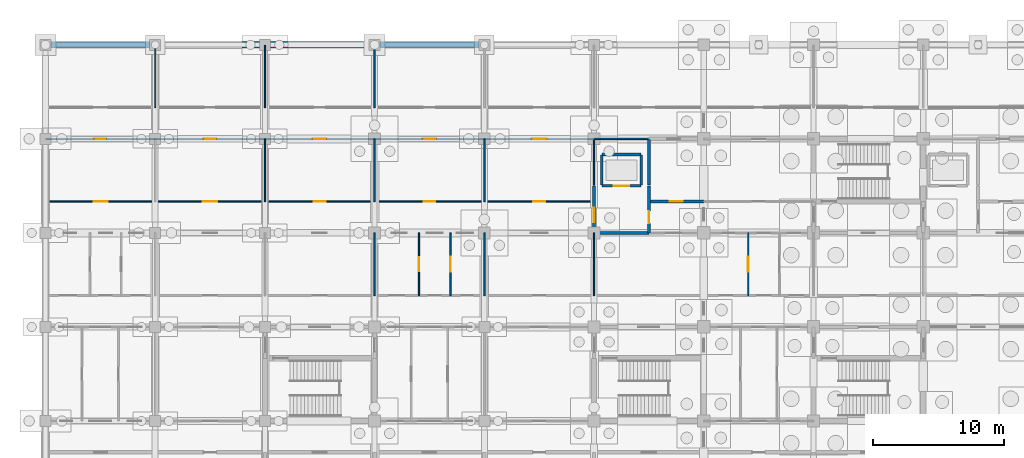
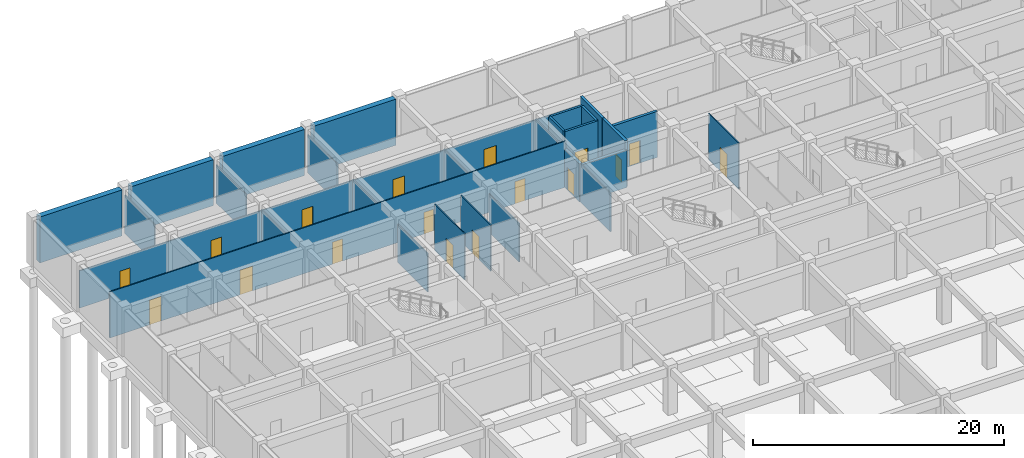
# One storey, part 35 of 85: 29 walls, 17 doors, 17 openings.
"""IFC4 building model written with IfcOpenShell, lengths in metres."""

import ifcopenshell
import ifcopenshell.guid

model = None  # the IFC model being written
_history = None  # IfcOwnerHistory: only IFC2X3 demands one
_inside = {}  # id of a spatial element -> (the spatial element, [elements in it])
_under = {}  # id of a project, library or spatial element -> (it, [spatial elements below it])
_declared = {}  # id of a project -> (the project, [libraries it declares])
_typed = {}  # id of a type object -> (the type object, [elements of that type])
_made_of = {}  # id of a material, layer set ... -> (it, [elements and type objects made of it])


def new_model(schema):
    """Start an empty IFC model of exactly this schema.

    Asked for "IFC4X3", IfcOpenShell would pick the latest addendum, in which some entities
    have other attributes; the version numbers below select the first issue.
    IFC2X3 requires an IfcOwnerHistory on every rooted entity: one is made here for all.
    """
    global model, _history
    if schema == "IFC4X3":
        model = ifcopenshell.file(schema_version=(4, 3, 0, 0))
    else:
        model = ifcopenshell.file(schema=schema)
    _inside.clear()
    _under.clear()
    _declared.clear()
    _typed.clear()
    _made_of.clear()
    _history = None
    if model.schema == "IFC2X3":
        org = make("IfcOrganization", Name="unknown")
        user = make(
            "IfcPersonAndOrganization",
            ThePerson=make("IfcPerson", FamilyName="unknown"),
            TheOrganization=org,
        )
        app = make(
            "IfcApplication",
            ApplicationDeveloper=org,
            Version="unknown",
            ApplicationFullName="unknown",
            ApplicationIdentifier="unknown",
        )
        _history = make(
            "IfcOwnerHistory",
            OwningUser=user,
            OwningApplication=app,
            ChangeAction="ADDED",
            CreationDate=0,
        )
    return model


def make(cls, **values):
    """One entity of the class cls with the attributes given. An attribute that is None is left unset."""
    return model.create_entity(
        cls, **{name: value for name, value in values.items() if value is not None}
    )


def rooted(cls, **values):
    """An entity with a GlobalId (a new one), such as an element, a storey or a relation."""
    return make(cls, GlobalId=ifcopenshell.guid.new(), OwnerHistory=_history, **values)


def si_unit(unit_type, name, prefix=None):
    """IfcSIUnit, for example si_unit("LENGTHUNIT", "METRE", prefix="MILLI")."""
    return make("IfcSIUnit", UnitType=unit_type, Prefix=prefix, Name=name)


def assignment(units):
    """IfcUnitAssignment: the units of a project."""
    return None if units is None else make("IfcUnitAssignment", Units=units)


def point(xyz):
    """IfcCartesianPoint."""
    return None if xyz is None else make("IfcCartesianPoint", Coordinates=xyz)


def direction(xyz):
    """IfcDirection."""
    return None if xyz is None else make("IfcDirection", DirectionRatios=xyz)


def frame(location, z_axis=None, x_axis=None):
    """IfcAxis2Placement3D, a coordinate frame: its origin and axes. An axis left out is left unset."""
    return make(
        "IfcAxis2Placement3D",
        Location=point(location),
        Axis=direction(z_axis),
        RefDirection=direction(x_axis),
    )


def frame_2d(location, x_axis=None):
    """IfcAxis2Placement2D, a coordinate frame in the plane: its origin and x axis."""
    return make(
        "IfcAxis2Placement2D", Location=point(location), RefDirection=direction(x_axis)
    )


def origin():
    """The frame at (0, 0, 0) with its axes left unset."""
    return frame((0.0, 0.0, 0.0))


def place(relative_to, where):
    """IfcLocalPlacement: puts the frame where relative to a parent placement (None: the world)."""
    return make(
        "IfcLocalPlacement", PlacementRelTo=relative_to, RelativePlacement=where
    )


def context(
    kind, dimensions, precision=None, world=None, true_north=None, identifier=None
):
    """IfcGeometricRepresentationContext, for example the 3D "Model" context."""
    return make(
        "IfcGeometricRepresentationContext",
        ContextIdentifier=identifier,
        ContextType=kind,
        CoordinateSpaceDimension=dimensions,
        Precision=precision,
        WorldCoordinateSystem=world,
        TrueNorth=true_north,
    )


def subcontext(parent, identifier, kind, view, scale=None):
    """IfcGeometricRepresentationSubContext, for example "Body" below "Model"."""
    return make(
        "IfcGeometricRepresentationSubContext",
        ContextIdentifier=identifier,
        ContextType=kind,
        ParentContext=parent,
        TargetScale=scale,
        TargetView=view,
    )


def project(units=None, contexts=None):
    """IfcProject with its units and contexts."""
    return rooted(
        "IfcProject",
        Name="project",
        RepresentationContexts=contexts,
        UnitsInContext=assignment(units),
    )


def spatial(cls, under=None, at=None, **own):
    """A site, building, storey or space (cls), placed at a placement, below another one or the project."""
    s = rooted(cls, ObjectPlacement=at, **own)
    if under is not None:
        _under.setdefault(under.id(), (under, []))[1].append(s)
    return s


def profile(cls, at=None, kind="AREA", **sizes):
    """A parametric profile (cls). Its sizes go by their IFC names, for example OverallWidth=200.0."""
    return make(cls, ProfileType=kind, Position=at, **sizes)


def rectangle(**sizes):
    """IfcRectangleProfileDef."""
    return profile("IfcRectangleProfileDef", **sizes)


def extrude(swept, where, along, depth):
    """IfcExtrudedAreaSolid: the profile swept, set in the frame where, extruded along a direction by depth."""
    return make(
        "IfcExtrudedAreaSolid",
        SweptArea=swept,
        Position=where,
        ExtrudedDirection=direction(along),
        Depth=depth,
    )


def shape(context_of_items, identifier, shape_type, items):
    """IfcShapeRepresentation: the items that make up one representation, for example the "Body"."""
    return make(
        "IfcShapeRepresentation",
        ContextOfItems=context_of_items,
        RepresentationIdentifier=identifier,
        RepresentationType=shape_type,
        Items=items,
    )


def material(Name=None, Category=None):
    """IfcMaterial."""
    return make("IfcMaterial", Name=Name, Category=Category)


def layer(
    of_material, thickness, ventilated=None, Name=None, Category=None, Priority=None
):
    """IfcMaterialLayer: one layer of a wall or slab, of a material (None: an air gap)."""
    return make(
        "IfcMaterialLayer",
        Material=of_material,
        LayerThickness=thickness,
        IsVentilated=ventilated,
        Name=Name,
        Category=Category,
        Priority=Priority,
    )


def layer_set(layers, Name=None):
    """IfcMaterialLayerSet."""
    return make("IfcMaterialLayerSet", MaterialLayers=layers, LayerSetName=Name)


def made_of(thing, what):
    """Note that an element or type object is made of a material, layer set ...; save() writes the relation."""
    if what is not None:
        _made_of.setdefault(what.id(), (what, []))[1].append(thing)
    return thing


def type_object(cls, material=None, **own):
    """A type object (cls), such as IfcWallType, which elements share."""
    return made_of(rooted(cls, **own), material)


def element(
    cls,
    number,
    at=None,
    inside=None,
    cuts=None,
    type_object=None,
    material=None,
    context=None,
    identifier="Body",
    shape_type=None,
    held_by="IfcProductDefinitionShape",
    body=None,
    shapes=None,
    **own,
):
    """One element of the class cls, such as IfcWall. Its Tag is "e" and its number.

    at: its placement. inside: the storey or other place that contains it. cuts: it is an
    opening in that element (IfcRelVoidsElement). A single representation is given by context,
    identifier, shape_type and body (its items); several are given by shapes. held_by: the class
    of the entity that holds the representations. save() writes the other relations.
    """
    e = rooted(cls, Tag="e%d" % number, ObjectPlacement=at, **own)
    if body is not None:
        shapes = [shape(context, identifier, shape_type, body)]
    if shapes is not None:
        e.Representation = make(held_by, Representations=shapes)
    if inside is not None:
        _inside.setdefault(inside.id(), (inside, []))[1].append(e)
    if cuts is not None:
        rooted(
            "IfcRelVoidsElement", RelatingBuildingElement=cuts, RelatedOpeningElement=e
        )
    if type_object is not None:
        _typed.setdefault(type_object.id(), (type_object, []))[1].append(e)
    return made_of(e, material)


def fill(opening, filler):
    """IfcRelFillsElement: the door or window that sits in an opening."""
    return rooted(
        "IfcRelFillsElement",
        RelatingOpeningElement=opening,
        RelatedBuildingElement=filler,
    )


def aggregate(whole, parts):
    """IfcRelAggregates: a whole, such as a stair, and the parts it consists of."""
    return rooted("IfcRelAggregates", RelatingObject=whole, RelatedObjects=parts)


def save(model, path):
    """Write the relations noted so far, then the file.

    IfcRelAggregates (storeys below a building ...), IfcRelContainedInSpatialStructure (elements
    in a storey), IfcRelDefinesByType, IfcRelAssociatesMaterial and IfcRelDeclares: one each for
    every whole, place, type object, material and project.
    """
    for whole, parts in _under.values():
        aggregate(whole, parts)
    for where, things in _inside.values():
        rooted(
            "IfcRelContainedInSpatialStructure",
            RelatedElements=things,
            RelatingStructure=where,
        )
    for kind, things in _typed.values():
        rooted("IfcRelDefinesByType", RelatedObjects=things, RelatingType=kind)
    for what, things in _made_of.values():
        rooted("IfcRelAssociatesMaterial", RelatedObjects=things, RelatingMaterial=what)
    for by, libraries in _declared.values():
        rooted("IfcRelDeclares", RelatingContext=by, RelatedDefinitions=libraries)
    model.write(path)


model = new_model("IFC4")

# Units and contexts
model_context = context("Model", 3, precision=1e-05, world=origin(), true_north=direction((0.0, 1.0)))
body_context = subcontext(model_context, "Body", "Model", "MODEL_VIEW")
ifc_project = project(units=[si_unit("LENGTHUNIT", "METRE"), si_unit("AREAUNIT", "SQUARE_METRE"), si_unit("VOLUMEUNIT", "CUBIC_METRE"), si_unit("PLANEANGLEUNIT", "RADIAN"), si_unit("MASSUNIT", "GRAM", prefix="KILO")], contexts=[model_context])

# Site, building, storey
site_placement = place(None, origin())
site = spatial("IfcSite", under=ifc_project, at=site_placement, CompositionType="ELEMENT")
building_placement = place(site_placement, origin())
building = spatial("IfcBuilding", under=site, at=building_placement, Name="Chengyuan Square Courthouse", CompositionType="ELEMENT")
storey_placement = place(building_placement, frame((0.0, 0.0, -10.199951171875)))
storey = spatial("IfcBuildingStorey", under=building, at=storey_placement, Name="B02", CompositionType="ELEMENT", Elevation=-10.199951171875)

# Wall
ifc_material_1 = material(Name="Concrete C40", Category="concrete")
ifc_layer_1 = layer(ifc_material_1, 0.25)
ifc_layer_set_1 = layer_set([ifc_layer_1], Name="Concrete C40")
wall_type_1 = type_object("IfcWallType", Name="WL-FW1", PredefinedType="STANDARD", material=ifc_layer_set_1)
wall_1_placement = place(storey_placement, frame((42.0, 100.800048828125, 0.0), z_axis=(0.0, 0.0, 1.0), x_axis=(1.0, 0.0, 0.0)))
element("IfcWall", 1, at=wall_1_placement, inside=storey, type_object=wall_type_1, Name="Interior Wall WL-B02-I065", PredefinedType="STANDARD", context=body_context, shape_type="SweptSolid", body=[
    extrude(rectangle(XDim=4.199951171875, YDim=0.25, at=frame_2d((2.10009765625, 0.0))), origin(), (0.0, 0.0, 1.0), 3.6298828125),
])

# Wall, opening, door
wall_2_placement = place(storey_placement, frame((46.199951171875, 103.199951171875, 0.0), z_axis=(0.0, 0.0, 1.0), x_axis=(1.0, 0.0, 0.0)))
wall_2 = element("IfcWall", 2, at=wall_2_placement, inside=storey, type_object=wall_type_1, Name="Interior Wall WL-B02-I075", PredefinedType="STANDARD", context=body_context, shape_type="SweptSolid", body=[
    extrude(rectangle(XDim=4.199951171875, YDim=0.25, at=frame_2d((2.10009765625, 0.0))), origin(), (0.0, 0.0, 1.0), 4.47998046875),
])
opening_1_placement = place(wall_2_placement, frame((1.60009765625, 0.0, 0.0)))
opening_1 = element("IfcOpeningElement", 3, at=opening_1_placement, cuts=wall_2, Name="Opening DR-074", PredefinedType="OPENING", context=body_context, shape_type="SweptSolid", body=[
    extrude(rectangle(XDim=1.0, YDim=2.199951171875, at=frame_2d((0.5, 1.10009765625))), frame((0.0, 0.136962890625, 0.0), z_axis=(0.0, -1.0, 0.0), x_axis=(1.0, 0.0, 0.0)), (0.0, 0.0, 1.0), 0.27392578125),
])
ifc_material_2 = material(Name="Steel Q235B Fire Door", Category="steel")
door_type_1 = type_object("IfcDoorType", Name="DT-11", OperationType="NOTDEFINED", PredefinedType="DOOR", material=ifc_material_2)
door_1_placement = place(opening_1_placement, origin())
door_1 = element("IfcDoor", 4, at=door_1_placement, inside=storey, type_object=door_type_1, Name="Interior Door DR-074", OperationType="SINGLE_SWING_RIGHT", OverallHeight=2.199951171875, OverallWidth=1.0, PredefinedType="DOOR", context=body_context, shape_type="SweptSolid", body=[
    extrude(rectangle(XDim=1.0, YDim=2.199951171875, at=frame_2d((0.5, 1.10009765625))), frame((0.0, 0.02490234375, 0.0), z_axis=(0.0, -1.0, 0.0), x_axis=(1.0, 0.0, 0.0)), (0.0, 0.0, 1.0), 0.050048828125),
])
fill(opening_1, door_1)

wall_3_placement = place(storey_placement, frame((42.0, 100.800048828125, 0.0), z_axis=(0.0, 0.0, 1.0), x_axis=(0.0, 1.0, 0.0)))
wall_3 = element("IfcWall", 5, at=wall_3_placement, inside=storey, type_object=wall_type_1, Name="Interior Wall WL-B02-I150", PredefinedType="STANDARD", context=body_context, shape_type="SweptSolid", body=[
    extrude(rectangle(XDim=3.599853515625, YDim=0.25, at=frame_2d((1.7998046875, 0.0))), origin(), (0.0, 0.0, 1.0), 3.72998046875),
])
opening_2_placement = place(wall_3_placement, frame((0.8349609375, 0.0, 0.0)))
opening_2 = element("IfcOpeningElement", 6, at=opening_2_placement, cuts=wall_3, Name="Opening DR-073", PredefinedType="OPENING", context=body_context, shape_type="SweptSolid", body=[
    extrude(rectangle(XDim=1.10009765625, YDim=2.199951171875, at=frame_2d((0.550048828125, 1.10009765625))), frame((0.0, 0.136962890625, 0.0), z_axis=(0.0, -1.0, 0.0), x_axis=(1.0, 0.0, 0.0)), (0.0, 0.0, 1.0), 0.27392578125),
])
door_type_2 = type_object("IfcDoorType", Name="DT-10", OperationType="NOTDEFINED", PredefinedType="DOOR", material=ifc_material_2)
door_2_placement = place(opening_2_placement, origin())
door_2 = element("IfcDoor", 7, at=door_2_placement, inside=storey, type_object=door_type_2, Name="Interior Door DR-073", OperationType="SINGLE_SWING_LEFT", OverallHeight=2.199951171875, OverallWidth=1.10009765625, PredefinedType="DOOR", context=body_context, shape_type="SweptSolid", body=[
    extrude(rectangle(XDim=1.10009765625, YDim=2.199951171875, at=frame_2d((0.550048828125, 1.10009765625))), frame((0.0, 0.02490234375, 0.0), z_axis=(0.0, -1.0, 0.0), x_axis=(1.0, 0.0, 0.0)), (0.0, 0.0, 1.0), 0.050048828125),
])
fill(opening_2, door_2)

wall_4_placement = place(storey_placement, frame((46.199951171875, 100.800048828125, 0.0), z_axis=(0.0, 0.0, 1.0), x_axis=(0.0, 1.0, 0.0)))
wall_4 = element("IfcWall", 8, at=wall_4_placement, inside=storey, type_object=wall_type_1, Name="Interior Wall WL-B02-I155", PredefinedType="STANDARD", context=body_context, shape_type="SweptSolid", body=[
    extrude(rectangle(XDim=3.599853515625, YDim=0.25, at=frame_2d((1.7998046875, 0.0))), origin(), (0.0, 0.0, 1.0), 4.47998046875),
])
opening_3_placement = place(wall_4_placement, frame((0.72509765625, 0.0, 0.0)))
opening_3 = element("IfcOpeningElement", 9, at=opening_3_placement, cuts=wall_4, Name="Opening DR-072", PredefinedType="OPENING", context=body_context, shape_type="SweptSolid", body=[
    extrude(rectangle(XDim=0.949951171875, YDim=2.14990234375, at=frame_2d((0.47509765625, 1.074951171875))), frame((0.0, 0.136962890625, 0.0), z_axis=(0.0, -1.0, 0.0), x_axis=(1.0, 0.0, 0.0)), (0.0, 0.0, 1.0), 0.27392578125),
])
door_type_3 = type_object("IfcDoorType", Name="DT-12", OperationType="NOTDEFINED", PredefinedType="DOOR", material=ifc_material_2)
door_3_placement = place(opening_3_placement, origin())
door_3 = element("IfcDoor", 10, at=door_3_placement, inside=storey, type_object=door_type_3, Name="Interior Door DR-072", OperationType="SINGLE_SWING_RIGHT", OverallHeight=2.14990234375, OverallWidth=0.949951171875, PredefinedType="DOOR", context=body_context, shape_type="SweptSolid", body=[
    extrude(rectangle(XDim=0.949951171875, YDim=2.14990234375, at=frame_2d((0.47509765625, 1.074951171875))), frame((0.0, 0.02490234375, 0.0), z_axis=(0.0, -1.0, 0.0), x_axis=(1.0, 0.0, 0.0)), (0.0, 0.0, 1.0), 0.050048828125),
])
fill(opening_3, door_3)

# Wall
wall_5_placement = place(storey_placement, frame((46.199951171875, 104.449951171875, 0.0), z_axis=(0.0, 0.0, 1.0), x_axis=(0.0, 1.0, 0.0)))
element("IfcWall", 11, at=wall_5_placement, inside=storey, type_object=wall_type_1, Name="Interior Wall WL-B02-I156", PredefinedType="STANDARD", context=body_context, shape_type="SweptSolid", body=[
    extrude(rectangle(XDim=3.5, YDim=0.25, at=frame_2d((1.75, 0.0))), origin(), (0.0, 0.0, 1.0), 4.47998046875),
])

# Wall, openings, doors
ifc_material_3 = material(Name="Gypsum Plasterboard Acoustic Stud Partition")
ifc_layer_2 = layer(ifc_material_3, 0.10009765625)
ifc_layer_set_2 = layer_set([ifc_layer_2], Name="Gypsum Plasterboard Acoustic Stud Partition")
wall_type_2 = type_object("IfcWallType", Name="WL-PT6", PredefinedType="STANDARD", material=ifc_layer_set_2)
wall_6_placement = place(storey_placement, frame((0.0400390625, 103.199951171875, 0.0), z_axis=(0.0, 0.0, 1.0), x_axis=(1.0, 0.0, 0.0)))
wall_6 = element("IfcWall", 12, at=wall_6_placement, inside=storey, type_object=wall_type_2, Name="Interior Wall WL-B02-I074", PredefinedType="STANDARD", context=body_context, shape_type="SweptSolid", body=[
    extrude(rectangle(XDim=41.9599609375, YDim=0.10009765625, at=frame_2d((20.97998046875, 0.0))), origin(), (0.0, 0.0, 1.0), 4.47998046875),
])
opening_4_placement = place(wall_6_placement, frame((3.64990234375, 0.0, 0.0)))
opening_4 = element("IfcOpeningElement", 13, at=opening_4_placement, cuts=wall_6, Name="Opening DR-084", PredefinedType="OPENING", context=body_context, shape_type="SweptSolid", body=[
    extrude(rectangle(XDim=1.06005859375, YDim=2.39990234375, at=frame_2d((0.530029296875, 1.199951171875))), frame((0.0, 0.06201171875, 0.0), z_axis=(0.0, -1.0, 0.0), x_axis=(1.0, 0.0, 0.0)), (0.0, 0.0, 1.0), 0.1240234375),
])
opening_5_placement = place(wall_6_placement, frame((11.989990234375, 0.0, 0.0)))
opening_5 = element("IfcOpeningElement", 14, at=opening_5_placement, cuts=wall_6, Name="Opening DR-085", PredefinedType="OPENING", context=body_context, shape_type="SweptSolid", body=[
    extrude(rectangle(XDim=1.139892578125, YDim=2.39990234375, at=frame_2d((0.56982421875, 1.199951171875))), frame((0.0, 0.06201171875, 0.0), z_axis=(0.0, -1.0, 0.0), x_axis=(1.0, 0.0, 0.0)), (0.0, 0.0, 1.0), 0.1240234375),
])
opening_6_placement = place(wall_6_placement, frame((20.510009765625, 0.0, 0.0)))
opening_6 = element("IfcOpeningElement", 15, at=opening_6_placement, cuts=wall_6, Name="Opening DR-086", PredefinedType="OPENING", context=body_context, shape_type="SweptSolid", body=[
    extrude(rectangle(XDim=0.89990234375, YDim=2.14990234375, at=frame_2d((0.449951171875, 1.074951171875))), frame((0.0, 0.06201171875, 0.0), z_axis=(0.0, -1.0, 0.0), x_axis=(1.0, 0.0, 0.0)), (0.0, 0.0, 1.0), 0.1240234375),
])
opening_7_placement = place(wall_6_placement, frame((28.929931640625, 0.0, 0.0)))
opening_7 = element("IfcOpeningElement", 16, at=opening_7_placement, cuts=wall_6, Name="Opening DR-087", PredefinedType="OPENING", context=body_context, shape_type="SweptSolid", body=[
    extrude(rectangle(XDim=0.860107421875, YDim=2.10009765625, at=frame_2d((0.43017578125, 1.050048828125))), frame((0.0, 0.06201171875, 0.0), z_axis=(0.0, -1.0, 0.0), x_axis=(1.0, 0.0, 0.0)), (0.0, 0.0, 1.0), 0.1240234375),
])
opening_8_placement = place(wall_6_placement, frame((37.300048828125, 0.0, 0.0)))
opening_8 = element("IfcOpeningElement", 17, at=opening_8_placement, cuts=wall_6, Name="Opening DR-088", PredefinedType="OPENING", context=body_context, shape_type="SweptSolid", body=[
    extrude(rectangle(XDim=0.919921875, YDim=2.14990234375, at=frame_2d((0.4599609375, 1.074951171875))), frame((0.0, 0.06201171875, 0.0), z_axis=(0.0, -1.0, 0.0), x_axis=(1.0, 0.0, 0.0)), (0.0, 0.0, 1.0), 0.1240234375),
])
ifc_material_4 = material(Name="Acoustic Solid-Core Timber Door", Category="wood")
door_type_4 = type_object("IfcDoorType", Name="DT-27", OperationType="NOTDEFINED", PredefinedType="DOOR", material=ifc_material_4)
door_4_placement = place(opening_6_placement, origin())
door_4 = element("IfcDoor", 18, at=door_4_placement, inside=storey, type_object=door_type_4, Name="Interior Door DR-086", OperationType="SINGLE_SWING_RIGHT", OverallHeight=2.14990234375, OverallWidth=0.89990234375, PredefinedType="DOOR", context=body_context, shape_type="SweptSolid", body=[
    extrude(rectangle(XDim=0.89990234375, YDim=2.14990234375, at=frame_2d((0.449951171875, 1.074951171875))), frame((0.0, 0.02490234375, 0.0), z_axis=(0.0, -1.0, 0.0), x_axis=(1.0, 0.0, 0.0)), (0.0, 0.0, 1.0), 0.050048828125),
])
fill(opening_6, door_4)
door_type_5 = type_object("IfcDoorType", Name="DT-28", OperationType="NOTDEFINED", PredefinedType="DOOR", material=ifc_material_4)
door_5_placement = place(opening_7_placement, origin())
door_5 = element("IfcDoor", 19, at=door_5_placement, inside=storey, type_object=door_type_5, Name="Interior Door DR-087", OperationType="SINGLE_SWING_LEFT", OverallHeight=2.10009765625, OverallWidth=0.860107421875, PredefinedType="DOOR", context=body_context, shape_type="SweptSolid", body=[
    extrude(rectangle(XDim=0.860107421875, YDim=2.10009765625, at=frame_2d((0.43017578125, 1.050048828125))), frame((0.0, 0.02490234375, 0.0), z_axis=(0.0, -1.0, 0.0), x_axis=(1.0, 0.0, 0.0)), (0.0, 0.0, 1.0), 0.050048828125),
])
fill(opening_7, door_5)
door_type_6 = type_object("IfcDoorType", Name="DT-29", OperationType="NOTDEFINED", PredefinedType="DOOR", material=ifc_material_4)
door_6_placement = place(opening_8_placement, origin())
door_6 = element("IfcDoor", 20, at=door_6_placement, inside=storey, type_object=door_type_6, Name="Interior Door DR-088", OperationType="SINGLE_SWING_RIGHT", OverallHeight=2.14990234375, OverallWidth=0.919921875, PredefinedType="DOOR", context=body_context, shape_type="SweptSolid", body=[
    extrude(rectangle(XDim=0.919921875, YDim=2.14990234375, at=frame_2d((0.4599609375, 1.074951171875))), frame((0.0, 0.02490234375, 0.0), z_axis=(0.0, -1.0, 0.0), x_axis=(1.0, 0.0, 0.0)), (0.0, 0.0, 1.0), 0.050048828125),
])
fill(opening_8, door_6)
door_type_7 = type_object("IfcDoorType", Name="DT-42", OperationType="NOTDEFINED", PredefinedType="DOOR", material=ifc_material_4)
door_7_placement = place(opening_4_placement, origin())
door_7 = element("IfcDoor", 21, at=door_7_placement, inside=storey, type_object=door_type_7, Name="Interior Door DR-084", OperationType="SINGLE_SWING_RIGHT", OverallHeight=2.39990234375, OverallWidth=1.06005859375, PredefinedType="DOOR", context=body_context, shape_type="SweptSolid", body=[
    extrude(rectangle(XDim=1.06005859375, YDim=2.39990234375, at=frame_2d((0.530029296875, 1.199951171875))), frame((0.0, 0.02490234375, 0.0), z_axis=(0.0, -1.0, 0.0), x_axis=(1.0, 0.0, 0.0)), (0.0, 0.0, 1.0), 0.050048828125),
])
fill(opening_4, door_7)
door_type_8 = type_object("IfcDoorType", Name="DT-43", OperationType="NOTDEFINED", PredefinedType="DOOR", material=ifc_material_4)
door_8_placement = place(opening_5_placement, origin())
door_8 = element("IfcDoor", 22, at=door_8_placement, inside=storey, type_object=door_type_8, Name="Interior Door DR-085", OperationType="SINGLE_SWING_LEFT", OverallHeight=2.39990234375, OverallWidth=1.139892578125, PredefinedType="DOOR", context=body_context, shape_type="SweptSolid", body=[
    extrude(rectangle(XDim=1.139892578125, YDim=2.39990234375, at=frame_2d((0.56982421875, 1.199951171875))), frame((0.0, 0.02490234375, 0.0), z_axis=(0.0, -1.0, 0.0), x_axis=(1.0, 0.0, 0.0)), (0.0, 0.0, 1.0), 0.050048828125),
])
fill(opening_5, door_8)

wall_7_placement = place(storey_placement, frame((0.0400390625, 108.0, 0.0), z_axis=(0.0, 0.0, 1.0), x_axis=(1.0, 0.0, 0.0)))
wall_7 = element("IfcWall", 23, at=wall_7_placement, inside=storey, type_object=wall_type_2, Name="Interior Wall WL-B02-I094", PredefinedType="STANDARD", context=body_context, shape_type="SweptSolid", body=[
    extrude(rectangle(XDim=41.9599609375, YDim=0.10009765625, at=frame_2d((20.97998046875, 0.0))), origin(), (0.0, 0.0, 1.0), 3.6298828125),
])
opening_9_placement = place(wall_7_placement, frame((3.68994140625, 0.0, 0.0)))
opening_9 = element("IfcOpeningElement", 24, at=opening_9_placement, cuts=wall_7, Name="Opening DR-098", PredefinedType="OPENING", context=body_context, shape_type="SweptSolid", body=[
    extrude(rectangle(XDim=0.93994140625, YDim=2.300048828125, at=frame_2d((0.469970703125, 1.14990234375))), frame((0.0, 0.06201171875, 0.0), z_axis=(0.0, -1.0, 0.0), x_axis=(1.0, 0.0, 0.0)), (0.0, 0.0, 1.0), 0.1240234375),
])
opening_10_placement = place(wall_7_placement, frame((12.070068359375, 0.0, 0.0)))
opening_10 = element("IfcOpeningElement", 25, at=opening_10_placement, cuts=wall_7, Name="Opening DR-099", PredefinedType="OPENING", context=body_context, shape_type="SweptSolid", body=[
    extrude(rectangle(XDim=0.97998046875, YDim=2.35009765625, at=frame_2d((0.489990234375, 1.175048828125))), frame((0.0, 0.06201171875, 0.0), z_axis=(0.0, -1.0, 0.0), x_axis=(1.0, 0.0, 0.0)), (0.0, 0.0, 1.0), 0.1240234375),
])
opening_11_placement = place(wall_7_placement, frame((20.4375, 0.0, 0.0)))
opening_11 = element("IfcOpeningElement", 26, at=opening_11_placement, cuts=wall_7, Name="Opening DR-100", PredefinedType="OPENING", context=body_context, shape_type="SweptSolid", body=[
    extrude(rectangle(XDim=1.02001953125, YDim=2.39990234375, at=frame_2d((0.510009765625, 1.199951171875))), frame((0.0, 0.06201171875, 0.0), z_axis=(0.0, -1.0, 0.0), x_axis=(1.0, 0.0, 0.0)), (0.0, 0.0, 1.0), 0.1240234375),
])
opening_12_placement = place(wall_7_placement, frame((28.830078125, 0.0, 0.0)))
opening_12 = element("IfcOpeningElement", 27, at=opening_12_placement, cuts=wall_7, Name="Opening DR-101", PredefinedType="OPENING", context=body_context, shape_type="SweptSolid", body=[
    extrude(rectangle(XDim=1.06005859375, YDim=2.39990234375, at=frame_2d((0.530029296875, 1.199951171875))), frame((0.0, 0.06201171875, 0.0), z_axis=(0.0, -1.0, 0.0), x_axis=(1.0, 0.0, 0.0)), (0.0, 0.0, 1.0), 0.1240234375),
])
opening_13_placement = place(wall_7_placement, frame((37.18994140625, 0.0, 0.0)))
opening_13 = element("IfcOpeningElement", 28, at=opening_13_placement, cuts=wall_7, Name="Opening DR-102", PredefinedType="OPENING", context=body_context, shape_type="SweptSolid", body=[
    extrude(rectangle(XDim=1.139892578125, YDim=2.39990234375, at=frame_2d((0.56982421875, 1.199951171875))), frame((0.0, 0.06201171875, 0.0), z_axis=(0.0, -1.0, 0.0), x_axis=(1.0, 0.0, 0.0)), (0.0, 0.0, 1.0), 0.1240234375),
])
door_type_9 = type_object("IfcDoorType", Name="DT-39", OperationType="NOTDEFINED", PredefinedType="DOOR", material=ifc_material_4)
door_9_placement = place(opening_9_placement, origin())
door_9 = element("IfcDoor", 29, at=door_9_placement, inside=storey, type_object=door_type_9, Name="Interior Door DR-098", OperationType="SINGLE_SWING_RIGHT", OverallHeight=2.300048828125, OverallWidth=0.93994140625, PredefinedType="DOOR", context=body_context, shape_type="SweptSolid", body=[
    extrude(rectangle(XDim=0.93994140625, YDim=2.300048828125, at=frame_2d((0.469970703125, 1.14990234375))), frame((0.0, 0.02490234375, 0.0), z_axis=(0.0, -1.0, 0.0), x_axis=(1.0, 0.0, 0.0)), (0.0, 0.0, 1.0), 0.050048828125),
])
fill(opening_9, door_9)
door_type_10 = type_object("IfcDoorType", Name="DT-40", OperationType="NOTDEFINED", PredefinedType="DOOR", material=ifc_material_4)
door_10_placement = place(opening_10_placement, origin())
door_10 = element("IfcDoor", 30, at=door_10_placement, inside=storey, type_object=door_type_10, Name="Interior Door DR-099", OperationType="SINGLE_SWING_LEFT", OverallHeight=2.35009765625, OverallWidth=0.97998046875, PredefinedType="DOOR", context=body_context, shape_type="SweptSolid", body=[
    extrude(rectangle(XDim=0.97998046875, YDim=2.35009765625, at=frame_2d((0.489990234375, 1.175048828125))), frame((0.0, 0.02490234375, 0.0), z_axis=(0.0, -1.0, 0.0), x_axis=(1.0, 0.0, 0.0)), (0.0, 0.0, 1.0), 0.050048828125),
])
fill(opening_10, door_10)
door_type_11 = type_object("IfcDoorType", Name="DT-41", OperationType="NOTDEFINED", PredefinedType="DOOR", material=ifc_material_4)
door_11_placement = place(opening_11_placement, origin())
door_11 = element("IfcDoor", 31, at=door_11_placement, inside=storey, type_object=door_type_11, Name="Interior Door DR-100", OperationType="SINGLE_SWING_RIGHT", OverallHeight=2.39990234375, OverallWidth=1.02001953125, PredefinedType="DOOR", context=body_context, shape_type="SweptSolid", body=[
    extrude(rectangle(XDim=1.02001953125, YDim=2.39990234375, at=frame_2d((0.510009765625, 1.199951171875))), frame((0.0, 0.02490234375, 0.0), z_axis=(0.0, -1.0, 0.0), x_axis=(1.0, 0.0, 0.0)), (0.0, 0.0, 1.0), 0.050048828125),
])
fill(opening_11, door_11)
door_12_placement = place(opening_12_placement, origin())
door_12 = element("IfcDoor", 32, at=door_12_placement, inside=storey, type_object=door_type_7, Name="Interior Door DR-101", OperationType="SINGLE_SWING_LEFT", OverallHeight=2.39990234375, OverallWidth=1.06005859375, PredefinedType="DOOR", context=body_context, shape_type="SweptSolid", body=[
    extrude(rectangle(XDim=1.06005859375, YDim=2.39990234375, at=frame_2d((0.530029296875, 1.199951171875))), frame((0.0, 0.02490234375, 0.0), z_axis=(0.0, -1.0, 0.0), x_axis=(1.0, 0.0, 0.0)), (0.0, 0.0, 1.0), 0.050048828125),
])
fill(opening_12, door_12)
door_13_placement = place(opening_13_placement, origin())
door_13 = element("IfcDoor", 33, at=door_13_placement, inside=storey, type_object=door_type_8, Name="Interior Door DR-102", OperationType="SINGLE_SWING_RIGHT", OverallHeight=2.39990234375, OverallWidth=1.139892578125, PredefinedType="DOOR", context=body_context, shape_type="SweptSolid", body=[
    extrude(rectangle(XDim=1.139892578125, YDim=2.39990234375, at=frame_2d((0.56982421875, 1.199951171875))), frame((0.0, 0.02490234375, 0.0), z_axis=(0.0, -1.0, 0.0), x_axis=(1.0, 0.0, 0.0)), (0.0, 0.0, 1.0), 0.050048828125),
])
fill(opening_13, door_13)

# Walls
wall_8_placement = place(storey_placement, frame((42.050048828125, 108.0, 0.0), z_axis=(0.0, 0.0, 1.0), x_axis=(1.0, 0.0, 0.0)))
element("IfcWall", 34, at=wall_8_placement, inside=storey, type_object=wall_type_2, Name="Interior Wall WL-B02-I095", PredefinedType="STANDARD", context=body_context, shape_type="SweptSolid", body=[
    extrude(rectangle(XDim=4.099853515625, YDim=0.10009765625, at=frame_2d((2.0498046875, 0.0))), origin(), (0.0, 0.0, 1.0), 3.6298828125),
])
wall_9_placement = place(storey_placement, frame((8.39990234375, 110.39990234375, 0.0), z_axis=(0.0, 0.0, 1.0), x_axis=(0.0, 1.0, 0.0)))
element("IfcWall", 35, at=wall_9_placement, inside=storey, type_object=wall_type_2, Name="Interior Wall WL-B02-I121", PredefinedType="STANDARD", context=body_context, shape_type="SweptSolid", body=[
    extrude(rectangle(XDim=4.760009765625, YDim=0.10009765625, at=frame_2d((2.3798828125, 0.0))), origin(), (0.0, 0.0, 1.0), 3.72998046875),
])
wall_10_placement = place(storey_placement, frame((16.800048828125, 103.199951171875, 0.0), z_axis=(0.0, 0.0, 1.0), x_axis=(0.0, 1.0, 0.0)))
element("IfcWall", 36, at=wall_10_placement, inside=storey, type_object=wall_type_2, Name="Interior Wall WL-B02-I129", PredefinedType="STANDARD", context=body_context, shape_type="SweptSolid", body=[
    extrude(rectangle(XDim=4.800048828125, YDim=0.10009765625, at=frame_2d((2.39990234375, 0.0))), origin(), (0.0, 0.0, 1.0), 3.72998046875),
])
wall_11_placement = place(storey_placement, frame((16.800048828125, 110.39990234375, 0.0), z_axis=(0.0, 0.0, 1.0), x_axis=(0.0, 1.0, 0.0)))
element("IfcWall", 37, at=wall_11_placement, inside=storey, type_object=wall_type_2, Name="Interior Wall WL-B02-I130", PredefinedType="STANDARD", context=body_context, shape_type="SweptSolid", body=[
    extrude(rectangle(XDim=4.760009765625, YDim=0.10009765625, at=frame_2d((2.3798828125, 0.0))), origin(), (0.0, 0.0, 1.0), 3.72998046875),
])
for number, where, z_axis, x_axis, name in (
    (38, (25.199951171875, 96.0, 0.0), (0.0, 0.0, 1.0), (0.0, 1.0, 0.0), "Interior Wall WL-B02-I134"),
    (39, (25.199951171875, 103.199951171875, 0.0), (0.0, 0.0, 1.0), (0.0, 1.0, 0.0), "Interior Wall WL-B02-I135"),
):
    element("IfcWall", number, at=place(storey_placement, frame(where, z_axis=z_axis, x_axis=x_axis)), inside=storey, type_object=wall_type_2, Name=name, PredefinedType="STANDARD", context=body_context, shape_type="SweptSolid", body=[
        extrude(rectangle(XDim=4.800048828125, YDim=0.10009765625, at=frame_2d((2.39990234375, 0.0))), origin(), (0.0, 0.0, 1.0), 3.72998046875),
    ])
wall_12_placement = place(storey_placement, frame((25.199951171875, 110.39990234375, 0.0), z_axis=(0.0, 0.0, 1.0), x_axis=(0.0, 1.0, 0.0)))
element("IfcWall", 40, at=wall_12_placement, inside=storey, type_object=wall_type_2, Name="Interior Wall WL-B02-I136", PredefinedType="STANDARD", context=body_context, shape_type="SweptSolid", body=[
    extrude(rectangle(XDim=4.760009765625, YDim=0.10009765625, at=frame_2d((2.3798828125, 0.0))), origin(), (0.0, 0.0, 1.0), 3.72998046875),
])

# Wall, opening, door
wall_13_placement = place(storey_placement, frame((28.60009765625, 96.0, 0.0), z_axis=(0.0, 0.0, 1.0), x_axis=(0.0, 1.0, 0.0)))
wall_13 = element("IfcWall", 41, at=wall_13_placement, inside=storey, type_object=wall_type_2, Name="Interior Wall WL-B02-I138", PredefinedType="STANDARD", context=body_context, shape_type="SweptSolid", body=[
    extrude(rectangle(XDim=4.800048828125, YDim=0.10009765625, at=frame_2d((2.39990234375, 0.0))), origin(), (0.0, 0.0, 1.0), 4.47998046875),
])
opening_14_placement = place(wall_13_placement, frame((1.860107421875, 0.0, 0.0)))
opening_14 = element("IfcOpeningElement", 42, at=opening_14_placement, cuts=wall_13, Name="Opening DR-211", PredefinedType="OPENING", context=body_context, shape_type="SweptSolid", body=[
    extrude(rectangle(XDim=1.080078125, YDim=2.25, at=frame_2d((0.5400390625, 1.125))), frame((0.0, 0.06201171875, 0.0), z_axis=(0.0, -1.0, 0.0), x_axis=(1.0, 0.0, 0.0)), (0.0, 0.0, 1.0), 0.1240234375),
])
door_type_12 = type_object("IfcDoorType", Name="DT-33", OperationType="NOTDEFINED", PredefinedType="DOOR", material=ifc_material_4)
door_14_placement = place(opening_14_placement, origin())
door_14 = element("IfcDoor", 43, at=door_14_placement, inside=storey, type_object=door_type_12, Name="Interior Door DR-211", OperationType="SINGLE_SWING_LEFT", OverallHeight=2.25, OverallWidth=1.080078125, PredefinedType="DOOR", context=body_context, shape_type="SweptSolid", body=[
    extrude(rectangle(XDim=1.080078125, YDim=2.25, at=frame_2d((0.5400390625, 1.125))), frame((0.0, 0.02490234375, 0.0), z_axis=(0.0, -1.0, 0.0), x_axis=(1.0, 0.0, 0.0)), (0.0, 0.0, 1.0), 0.050048828125),
])
fill(opening_14, door_14)

wall_14_placement = place(storey_placement, frame((31.0, 96.0, 0.0), z_axis=(0.0, 0.0, 1.0), x_axis=(0.0, 1.0, 0.0)))
wall_14 = element("IfcWall", 44, at=wall_14_placement, inside=storey, type_object=wall_type_2, Name="Interior Wall WL-B02-I140", PredefinedType="STANDARD", context=body_context, shape_type="SweptSolid", body=[
    extrude(rectangle(XDim=4.800048828125, YDim=0.10009765625, at=frame_2d((2.39990234375, 0.0))), origin(), (0.0, 0.0, 1.0), 4.47998046875),
])
opening_15_placement = place(wall_14_placement, frame((1.840087890625, 0.0, 0.0)))
opening_15 = element("IfcOpeningElement", 45, at=opening_15_placement, cuts=wall_14, Name="Opening DR-212", PredefinedType="OPENING", context=body_context, shape_type="SweptSolid", body=[
    extrude(rectangle(XDim=1.1201171875, YDim=2.25, at=frame_2d((0.56005859375, 1.125))), frame((0.0, 0.06201171875, 0.0), z_axis=(0.0, -1.0, 0.0), x_axis=(1.0, 0.0, 0.0)), (0.0, 0.0, 1.0), 0.1240234375),
])
door_type_13 = type_object("IfcDoorType", Name="DT-34", OperationType="NOTDEFINED", PredefinedType="DOOR", material=ifc_material_4)
door_15_placement = place(opening_15_placement, origin())
door_15 = element("IfcDoor", 46, at=door_15_placement, inside=storey, type_object=door_type_13, Name="Interior Door DR-212", OperationType="SINGLE_SWING_RIGHT", OverallHeight=2.25, OverallWidth=1.1201171875, PredefinedType="DOOR", context=body_context, shape_type="SweptSolid", body=[
    extrude(rectangle(XDim=1.1201171875, YDim=2.25, at=frame_2d((0.56005859375, 1.125))), frame((0.0, 0.02490234375, 0.0), z_axis=(0.0, -1.0, 0.0), x_axis=(1.0, 0.0, 0.0)), (0.0, 0.0, 1.0), 0.050048828125),
])
fill(opening_15, door_15)

# Walls
for number, where, z_axis, x_axis, name in (
    (47, (33.60009765625, 96.0, 0.0), (0.0, 0.0, 1.0), (0.0, 1.0, 0.0), "Interior Wall WL-B02-I143"),
    (48, (33.60009765625, 103.199951171875, 0.0), (0.0, 0.0, 1.0), (0.0, 1.0, 0.0), "Interior Wall WL-B02-I144"),
    (49, (42.0, 96.0, 0.0), (0.0, 0.0, 1.0), (0.0, 1.0, 0.0), "Interior Wall WL-B02-I149"),
):
    element("IfcWall", number, at=place(storey_placement, frame(where, z_axis=z_axis, x_axis=x_axis)), inside=storey, type_object=wall_type_2, Name=name, PredefinedType="STANDARD", context=body_context, shape_type="SweptSolid", body=[
        extrude(rectangle(XDim=4.800048828125, YDim=0.10009765625, at=frame_2d((2.39990234375, 0.0))), origin(), (0.0, 0.0, 1.0), 3.72998046875),
    ])
wall_15_placement = place(storey_placement, frame((42.0, 104.449951171875, 0.0), z_axis=(0.0, 0.0, 1.0), x_axis=(0.0, 1.0, 0.0)))
element("IfcWall", 50, at=wall_15_placement, inside=storey, type_object=wall_type_2, Name="Interior Wall WL-B02-I151", PredefinedType="STANDARD", context=body_context, shape_type="SweptSolid", body=[
    extrude(rectangle(XDim=3.5, YDim=0.10009765625, at=frame_2d((1.75, 0.0))), origin(), (0.0, 0.0, 1.0), 3.72998046875),
])

# Wall, opening, door
wall_16_placement = place(storey_placement, frame((53.800048828125, 96.0, 0.0), z_axis=(0.0, 0.0, 1.0), x_axis=(0.0, 1.0, 0.0)))
wall_16 = element("IfcWall", 51, at=wall_16_placement, inside=storey, type_object=wall_type_2, Name="Interior Wall WL-B02-I161", PredefinedType="STANDARD", context=body_context, shape_type="SweptSolid", body=[
    extrude(rectangle(XDim=4.800048828125, YDim=0.10009765625, at=frame_2d((2.39990234375, 0.0))), origin(), (0.0, 0.0, 1.0), 4.47998046875),
])
opening_16_placement = place(wall_16_placement, frame((1.820068359375, 0.0, 0.0)))
opening_16 = element("IfcOpeningElement", 52, at=opening_16_placement, cuts=wall_16, Name="Opening DR-213", PredefinedType="OPENING", context=body_context, shape_type="SweptSolid", body=[
    extrude(rectangle(XDim=1.159912109375, YDim=2.300048828125, at=frame_2d((0.580078125, 1.14990234375))), frame((0.0, 0.06201171875, 0.0), z_axis=(0.0, -1.0, 0.0), x_axis=(1.0, 0.0, 0.0)), (0.0, 0.0, 1.0), 0.1240234375),
])
door_type_14 = type_object("IfcDoorType", Name="DT-35", OperationType="NOTDEFINED", PredefinedType="DOOR", material=ifc_material_4)
door_16_placement = place(opening_16_placement, origin())
door_16 = element("IfcDoor", 53, at=door_16_placement, inside=storey, type_object=door_type_14, Name="Interior Door DR-213", OperationType="SINGLE_SWING_LEFT", OverallHeight=2.300048828125, OverallWidth=1.159912109375, PredefinedType="DOOR", context=body_context, shape_type="SweptSolid", body=[
    extrude(rectangle(XDim=1.159912109375, YDim=2.300048828125, at=frame_2d((0.580078125, 1.14990234375))), frame((0.0, 0.02490234375, 0.0), z_axis=(0.0, -1.0, 0.0), x_axis=(1.0, 0.0, 0.0)), (0.0, 0.0, 1.0), 0.050048828125),
])
fill(opening_16, door_16)

# Walls
ifc_layer_3 = layer(ifc_material_1, 0.5)
ifc_layer_set_3 = layer_set([ifc_layer_3], Name="Concrete C40")
wall_type_3 = type_object("IfcWallType", Name="WL-RW1", PredefinedType="USERDEFINED", material=ifc_layer_set_3)
wall_17_placement = place(storey_placement, frame((0.419921875, 115.199951171875, 0.0), z_axis=(0.0, 0.0, 1.0), x_axis=(1.0, 0.0, 0.0)))
element("IfcWall", 54, at=wall_17_placement, inside=storey, type_object=wall_type_3, Name="Basement Retaining Wall WL-B02-E017", ObjectType="RETAININGWALL", PredefinedType="USERDEFINED", context=body_context, shape_type="SweptSolid", body=[
    extrude(rectangle(XDim=7.56005859375, YDim=0.5, at=frame_2d((3.780029296875, 0.0))), origin(), (0.0, 0.0, 1.0), 4.47998046875),
])
wall_18_placement = place(storey_placement, frame((8.820068359375, 115.199951171875, 0.0), z_axis=(0.0, 0.0, 1.0), x_axis=(1.0, 0.0, 0.0)))
element("IfcWall", 55, at=wall_18_placement, inside=storey, type_object=wall_type_3, Name="Basement Retaining Wall WL-B02-E020", ObjectType="RETAININGWALL", PredefinedType="USERDEFINED", context=body_context, shape_type="SweptSolid", body=[
    extrude(rectangle(XDim=7.559814453125, YDim=0.5, at=frame_2d((3.77978515625, 0.0))), origin(), (0.0, 0.0, 1.0), 4.47998046875),
])
wall_19_placement = place(storey_placement, frame((17.219970703125, 115.199951171875, 0.0), z_axis=(0.0, 0.0, 1.0), x_axis=(1.0, 0.0, 0.0)))
element("IfcWall", 56, at=wall_19_placement, inside=storey, type_object=wall_type_3, Name="Basement Retaining Wall WL-B02-E022", ObjectType="RETAININGWALL", PredefinedType="USERDEFINED", context=body_context, shape_type="SweptSolid", body=[
    extrude(rectangle(XDim=7.56005859375, YDim=0.5, at=frame_2d((3.780029296875, 0.0))), origin(), (0.0, 0.0, 1.0), 4.47998046875),
])
wall_20_placement = place(storey_placement, frame((25.6201171875, 115.199951171875, 0.0), z_axis=(0.0, 0.0, 1.0), x_axis=(1.0, 0.0, 0.0)))
element("IfcWall", 57, at=wall_20_placement, inside=storey, type_object=wall_type_3, Name="Basement Retaining Wall WL-B02-E024", ObjectType="RETAININGWALL", PredefinedType="USERDEFINED", context=body_context, shape_type="SweptSolid", body=[
    extrude(rectangle(XDim=7.559814453125, YDim=0.5, at=frame_2d((3.77978515625, 0.0))), origin(), (0.0, 0.0, 1.0), 4.47998046875),
])

# Wall, opening, door
ifc_material_5 = material(Name="Reinforced Masonry Shaft Enclosure", Category="masonry")
ifc_layer_4 = layer(ifc_material_5, 0.199951171875)
ifc_layer_set_4 = layer_set([ifc_layer_4], Name="Reinforced Masonry Shaft Enclosure")
wall_type_4 = type_object("IfcWallType", Name="WL-SH1", PredefinedType="STANDARD", material=ifc_layer_set_4)
wall_21_placement = place(storey_placement, frame((42.60009765625, 104.39990234375, 0.0), z_axis=(0.0, 0.0, 1.0), x_axis=(1.0, 0.0, 0.0)))
wall_21 = element("IfcWall", 58, at=wall_21_placement, inside=storey, type_object=wall_type_4, Name="Interior Wall WL-B02-I086", PredefinedType="STANDARD", context=body_context, shape_type="SweptSolid", body=[
    extrude(rectangle(XDim=3.0, YDim=0.199951171875, at=frame_2d((1.5, 0.0))), origin(), (0.0, 0.0, 1.0), 4.47998046875),
])
opening_17_placement = place(wall_21_placement, frame((0.89990234375, 0.0, 0.0)))
opening_17 = element("IfcOpeningElement", 59, at=opening_17_placement, cuts=wall_21, Name="Opening LD-003", PredefinedType="OPENING", context=body_context, shape_type="SweptSolid", body=[
    extrude(rectangle(XDim=1.199951171875, YDim=2.14990234375, at=frame_2d((0.60009765625, 1.074951171875))), frame((0.0, 0.112060546875, 0.0), z_axis=(0.0, -1.0, 0.0), x_axis=(1.0, 0.0, 0.0)), (0.0, 0.0, 1.0), 0.223876953125),
])
ifc_material_6 = material(Name="Stainless Steel S30408 Lift Landing Door", Category="steel")
door_type_15 = type_object("IfcDoorType", Name="DT-05", OperationType="DOUBLE_DOOR_SLIDING", PredefinedType="DOOR", material=ifc_material_6)
door_17_placement = place(opening_17_placement, origin())
door_17 = element("IfcDoor", 60, at=door_17_placement, inside=storey, type_object=door_type_15, Name="Lift Landing Door LF-F3 B02", OperationType="DOUBLE_DOOR_SLIDING", OverallHeight=2.14990234375, OverallWidth=1.199951171875, PredefinedType="DOOR", context=body_context, shape_type="SweptSolid", body=[
    extrude(rectangle(XDim=1.199951171875, YDim=2.14990234375, at=frame_2d((0.60009765625, 1.074951171875))), frame((0.0, 0.02490234375, 0.0), z_axis=(0.0, -1.0, 0.0), x_axis=(1.0, 0.0, 0.0)), (0.0, 0.0, 1.0), 0.050048828125),
])
fill(opening_17, door_17)

# Walls
wall_22_placement = place(storey_placement, frame((42.60009765625, 106.800048828125, 0.0), z_axis=(0.0, 0.0, 1.0), x_axis=(1.0, 0.0, 0.0)))
element("IfcWall", 61, at=wall_22_placement, inside=storey, type_object=wall_type_4, Name="Interior Wall WL-B02-I090", PredefinedType="STANDARD", context=body_context, shape_type="SweptSolid", body=[
    extrude(rectangle(XDim=3.0, YDim=0.199951171875, at=frame_2d((1.5, 0.0))), origin(), (0.0, 0.0, 1.0), 4.47998046875),
])
for number, where, z_axis, x_axis, name in (
    (62, (42.60009765625, 104.449951171875, 0.0), (0.0, 0.0, 1.0), (0.0, 1.0, 0.0), "Interior Wall WL-B02-I153"),
    (63, (45.60009765625, 104.449951171875, 0.0), (0.0, 0.0, 1.0), (0.0, 1.0, 0.0), "Interior Wall WL-B02-I154"),
):
    element("IfcWall", number, at=place(storey_placement, frame(where, z_axis=z_axis, x_axis=x_axis)), inside=storey, type_object=wall_type_4, Name=name, PredefinedType="STANDARD", context=body_context, shape_type="SweptSolid", body=[
        extrude(rectangle(XDim=2.300048828125, YDim=0.199951171875, at=frame_2d((1.14990234375, 0.0))), origin(), (0.0, 0.0, 1.0), 4.47998046875),
    ])

save(model, "model.ifc")
